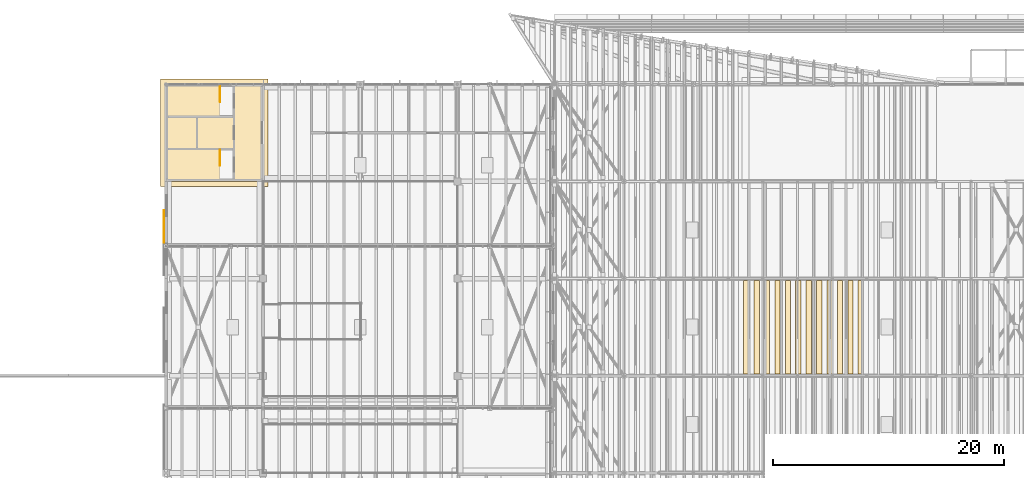
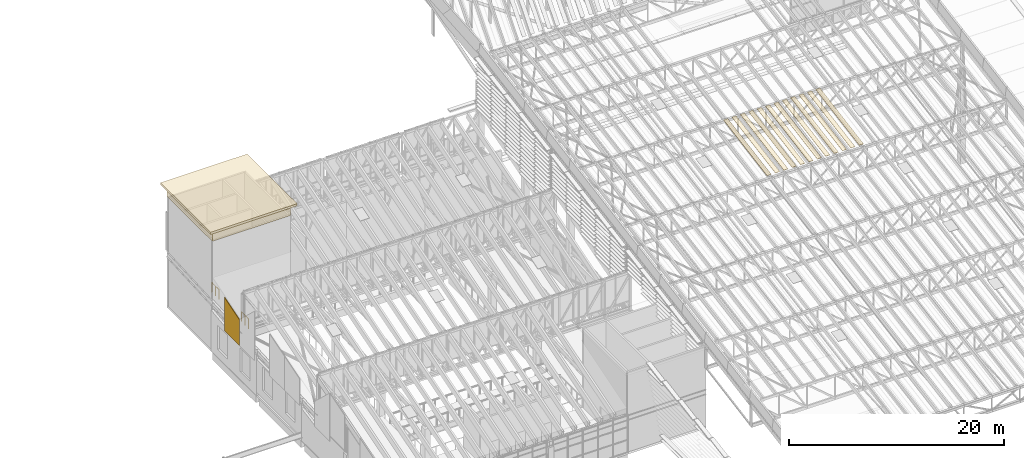
# One storey, part 82 of 91: 15 coverings, 2 railings.
"""IFC4 building model written with IfcOpenShell, lengths in metres."""

from ifc_helpers import new_model, si_unit, direction, frame, origin, origin_2d, place, context, subcontext, project, spatial, polyline, rectangle, circle, outline, extrude, material, layer, layer_set, type_object, element, save


model = new_model("IFC4")

# Units and contexts
model_context = context("Model", 3, precision=1e-05, world=origin(), true_north=direction((0.0, 1.0)))
body_context = subcontext(model_context, "Body", "Model", "MODEL_VIEW")
ifc_project = project(units=[si_unit("LENGTHUNIT", "METRE"), si_unit("AREAUNIT", "SQUARE_METRE"), si_unit("VOLUMEUNIT", "CUBIC_METRE"), si_unit("PLANEANGLEUNIT", "RADIAN"), si_unit("MASSUNIT", "GRAM", prefix="KILO")], contexts=[model_context])

# Site, building, storey
site_placement = place(None, origin())
site = spatial("IfcSite", under=ifc_project, at=site_placement, CompositionType="ELEMENT")
building_placement = place(site_placement, origin())
building = spatial("IfcBuilding", under=site, at=building_placement, Name="Almond Square Museum", CompositionType="ELEMENT")
storey_placement = place(building_placement, frame((0.0, 0.0, 30.0)))
storey = spatial("IfcBuildingStorey", under=building, at=storey_placement, Name="L05", CompositionType="ELEMENT", Elevation=30.0)

# Coverings
ifc_material_1 = material(Name="Cedar timber fascia board", Category="wood")
ifc_layer_1 = layer(ifc_material_1, 0.0400390625)
ifc_layer_set_1 = layer_set([ifc_layer_1], Name="Cedar timber fascia board")
covering_type_1 = type_object("IfcCoveringType", Name="Atrium roof edge fascia 40", PredefinedType="CLADDING", material=ifc_layer_set_1)
covering_1_placement = place(storey_placement, frame((73.06591796875, 95.510009765625, 3.800048828125), z_axis=(1.0, 0.0, 0.0), x_axis=(0.0, 1.0, 0.0)))
element("IfcCovering", 1, at=covering_1_placement, inside=storey, type_object=covering_type_1, Name="Atrium gable panel 8", PredefinedType="CLADDING", context=body_context, shape_type="SweptSolid", body=[
    extrude(outline(polyline([(0.0, 0.0), (2.780029296875, 0.0), (2.780029296875, 3.82763671875), (0.0, 2.9716796875), (0.0, 0.0)])), frame((0.0, 0.0, -0.02001953125)), (0.0, 0.0, 1.0), 0.0400390625),
])
ifc_material_2 = material(Name="Cedar timber roof board", Category="wood")
ifc_layer_2 = layer(ifc_material_2, 0.0400390625)
ifc_layer_set_2 = layer_set([ifc_layer_2], Name="Cedar timber roof board")
covering_type_2 = type_object("IfcCoveringType", Name="Hall roof board 450 x 40", PredefinedType="CLADDING", material=ifc_layer_set_2)
covering_2_placement = place(storey_placement, frame((123.60009765625, 92.25, 13.82373046875), z_axis=(0.0, -0.17237601069, 0.985031223332), x_axis=(-1.0, 0.0, 0.0)))
element("IfcCovering", 2, at=covering_2_placement, inside=storey, type_object=covering_type_2, Name="Hall roof board", PredefinedType="CLADDING", context=body_context, shape_type="SweptSolid", body=[
    extrude(outline(polyline([(0.0, 0.0), (0.4501953125, 0.0), (0.4501953125, 8.223188731877341), (0.0, 8.223188731877341), (0.0, 0.0)])), origin(), (0.0, 0.0, 1.0), 0.0400390625),
])
for number, where, z_axis, x_axis, name in (
    (3, (124.5, 92.25, 13.82373046875), (0.0, -0.17237601069, 0.985031223332), (-1.0, 0.0, 0.0), "Hall roof board"),
    (4, (125.39990234375, 92.25, 13.82373046875), (0.0, -0.17237601069, 0.985031223332), (-1.0, 0.0, 0.0), "Hall roof board"),
    (5, (126.300048828125, 92.25, 13.82373046875), (0.0, -0.17237601069, 0.985031223332), (-1.0, 0.0, 0.0), "Hall roof board"),
    (6, (127.199951171875, 92.25, 13.82373046875), (0.0, -0.17237601069, 0.985031223332), (-1.0, 0.0, 0.0), "Hall roof board"),
):
    element("IfcCovering", number, at=place(storey_placement, frame(where, z_axis=z_axis, x_axis=x_axis)), inside=storey, type_object=covering_type_2, Name=name, PredefinedType="CLADDING", context=body_context, shape_type="SweptSolid", body=[
        extrude(outline(polyline([(0.0, 0.0), (0.449951171875, 0.0), (0.449951171875, 8.223188731877341), (0.0, 8.223188731877341), (0.0, 0.0)])), origin(), (0.0, 0.0, 1.0), 0.0400390625),
    ])
covering_3_placement = place(storey_placement, frame((128.10009765625, 92.25, 13.82373046875), z_axis=(0.0, -0.17237601069, 0.985031223332), x_axis=(-1.0, 0.0, 0.0)))
element("IfcCovering", 7, at=covering_3_placement, inside=storey, type_object=covering_type_2, Name="Hall roof board", PredefinedType="CLADDING", context=body_context, shape_type="SweptSolid", body=[
    extrude(outline(polyline([(0.0, 0.0), (0.4501953125, 0.0), (0.4501953125, 8.223188731877341), (0.0, 8.223188731877341), (0.0, 0.0)])), origin(), (0.0, 0.0, 1.0), 0.0400390625),
])
for number, where, z_axis, x_axis, name in (
    (8, (129.0, 92.25, 13.82373046875), (0.0, -0.17237601069, 0.985031223332), (-1.0, 0.0, 0.0), "Hall roof board"),
    (9, (129.89990234375, 92.25, 13.82373046875), (0.0, -0.17237601069, 0.985031223332), (-1.0, 0.0, 0.0), "Hall roof board"),
    (10, (130.800048828125, 92.25, 13.82373046875), (0.0, -0.17237601069, 0.985031223332), (-1.0, 0.0, 0.0), "Hall roof board"),
    (11, (131.699951171875, 92.25, 13.82373046875), (0.0, -0.17237601069, 0.985031223332), (-1.0, 0.0, 0.0), "Hall roof board"),
):
    element("IfcCovering", number, at=place(storey_placement, frame(where, z_axis=z_axis, x_axis=x_axis)), inside=storey, type_object=covering_type_2, Name=name, PredefinedType="CLADDING", context=body_context, shape_type="SweptSolid", body=[
        extrude(outline(polyline([(0.0, 0.0), (0.449951171875, 0.0), (0.449951171875, 8.223188731877341), (0.0, 8.223188731877341), (0.0, 0.0)])), origin(), (0.0, 0.0, 1.0), 0.0400390625),
    ])
covering_4_placement = place(storey_placement, frame((132.60009765625, 92.25, 13.82373046875), z_axis=(0.0, -0.17237601069, 0.985031223332), x_axis=(-1.0, 0.0, 0.0)))
element("IfcCovering", 12, at=covering_4_placement, inside=storey, type_object=covering_type_2, Name="Hall roof board", PredefinedType="CLADDING", context=body_context, shape_type="SweptSolid", body=[
    extrude(outline(polyline([(0.0, 0.0), (0.4501953125, 0.0), (0.4501953125, 8.223188731877341), (0.0, 8.223188731877341), (0.0, 0.0)])), origin(), (0.0, 0.0, 1.0), 0.0400390625),
])
covering_5_placement = place(storey_placement, frame((133.5, 92.25, 13.82373046875), z_axis=(0.0, -0.17237601069, 0.985031223332), x_axis=(-1.0, 0.0, 0.0)))
element("IfcCovering", 13, at=covering_5_placement, inside=storey, type_object=covering_type_2, Name="Hall roof board", PredefinedType="CLADDING", context=body_context, shape_type="SweptSolid", body=[
    extrude(outline(polyline([(0.0, 0.0), (0.449951171875, 0.0), (0.449951171875, 8.223188731877341), (0.0, 8.223188731877341), (0.0, 0.0)])), origin(), (0.0, 0.0, 1.0), 0.0400390625),
])
ifc_material_3 = material(Name="Insulated aluminium roof deck", Category="aluminium")
ifc_layer_3 = layer(ifc_material_3, 0.25)
ifc_layer_set_3 = layer_set([ifc_layer_3], Name="Insulated aluminium roof deck")
covering_type_3 = type_object("IfcCoveringType", Name="Head house cap, standing seam zinc", PredefinedType="CLADDING", material=ifc_layer_set_3)
covering_6_placement = place(storey_placement, frame((77.39990234375, 105.0, 13.580078125), z_axis=(0.0, 0.0, 1.0), x_axis=(1.0, 0.0, 0.0)))
element("IfcCovering", 14, at=covering_6_placement, inside=storey, type_object=covering_type_3, Name="Head house roof cap A1", PredefinedType="CLADDING", context=body_context, shape_type="SweptSolid", body=[
    extrude(rectangle(XDim=9.300048828125, YDim=9.300048828125, at=origin_2d()), origin(), (0.0, 0.0, 1.0), 0.25),
])
ifc_material_4 = material(Name="Zinc standing seam cladding")
ifc_layer_4 = layer(ifc_material_4, 1.199951171875)
ifc_layer_set_4 = layer_set([ifc_layer_4], Name="Zinc standing seam cladding")
covering_type_4 = type_object("IfcCoveringType", Name="Lift overrun cladding 1200", PredefinedType="CLADDING", material=ifc_layer_set_4)
covering_7_placement = place(storey_placement, frame((77.39990234375, 105.0, 12.3798828125), z_axis=(0.0, 0.0, 1.0), x_axis=(1.0, 0.0, 0.0)))
element("IfcCovering", 15, at=covering_7_placement, inside=storey, type_object=covering_type_4, Name="Lift overrun cladding A1", PredefinedType="CLADDING", context=body_context, shape_type="SweptSolid", body=[
    extrude(rectangle(XDim=8.39990234375, YDim=8.39990234375, at=origin_2d()), origin(), (0.0, 0.0, 1.0), 1.199951171875),
])

# Railings
ifc_material_5 = material(Name="Stainless steel and laminated glass", Category="steel")
railing_type = type_object("IfcRailingType", Name="Stair guard 1100 steel and glass", PredefinedType="GUARDRAIL", material=ifc_material_5)
for number, where, name in (
    (16, (77.89990234375, 103.530029296875, 0.0), "L05 ST-09 top well guard 1"),
    (17, (77.89990234375, 109.030029296875, 0.0), "L05 ST-10 top well guard 1"),
):
    element("IfcRailing", number, at=place(storey_placement, frame(where)), inside=storey, type_object=railing_type, Name=name, PredefinedType="GUARDRAIL", context=body_context, shape_type="SweptSolid", body=[
        extrude(circle(Radius=0.02392578125, at=origin_2d()), frame((0.0, 0.0, 1.076171875), z_axis=(0.0, -1.0, 0.0), x_axis=(1.0, 0.0, 0.0)), (0.0, 0.0, 1.0), 1.35009765625),
        extrude(circle(Radius=0.02099609375, at=origin_2d()), origin(), (0.0, 0.0, 1.0), 1.052001953125),
        extrude(circle(Radius=0.02099609375, at=origin_2d()), frame((0.0, -0.675048828125, 0.0)), (0.0, 0.0, 1.0), 1.052001953125),
        extrude(circle(Radius=0.02099609375, at=origin_2d()), frame((0.0, -1.35009765625, 0.0)), (0.0, 0.0, 1.0), 1.052001953125),
    ])

save(model, "model.ifc")
